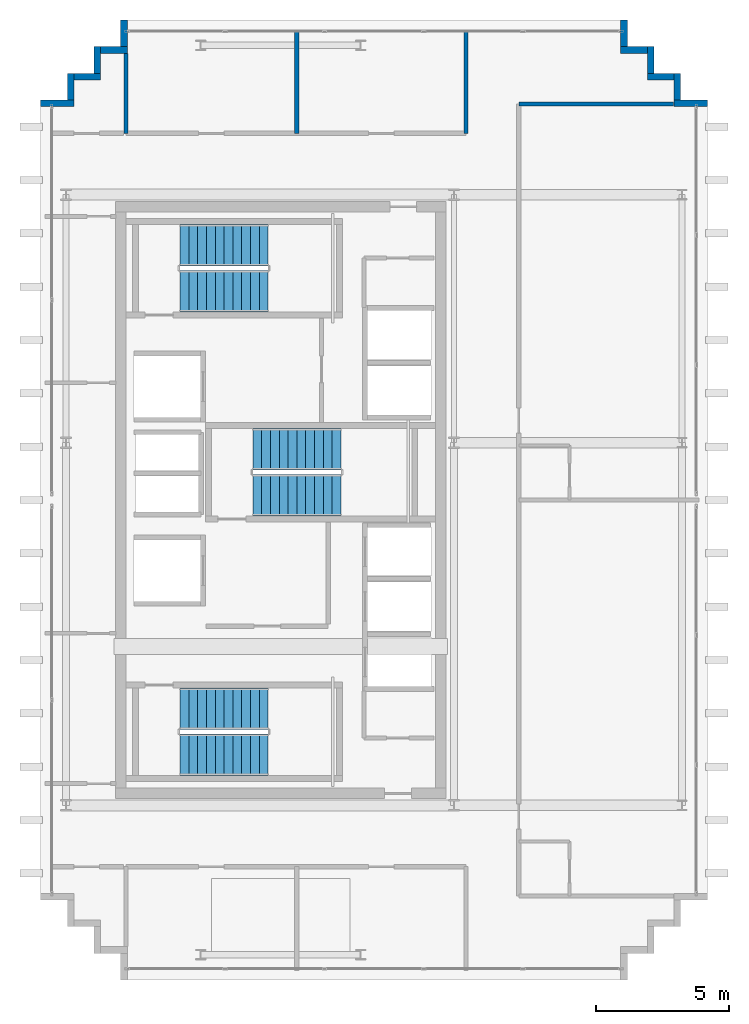
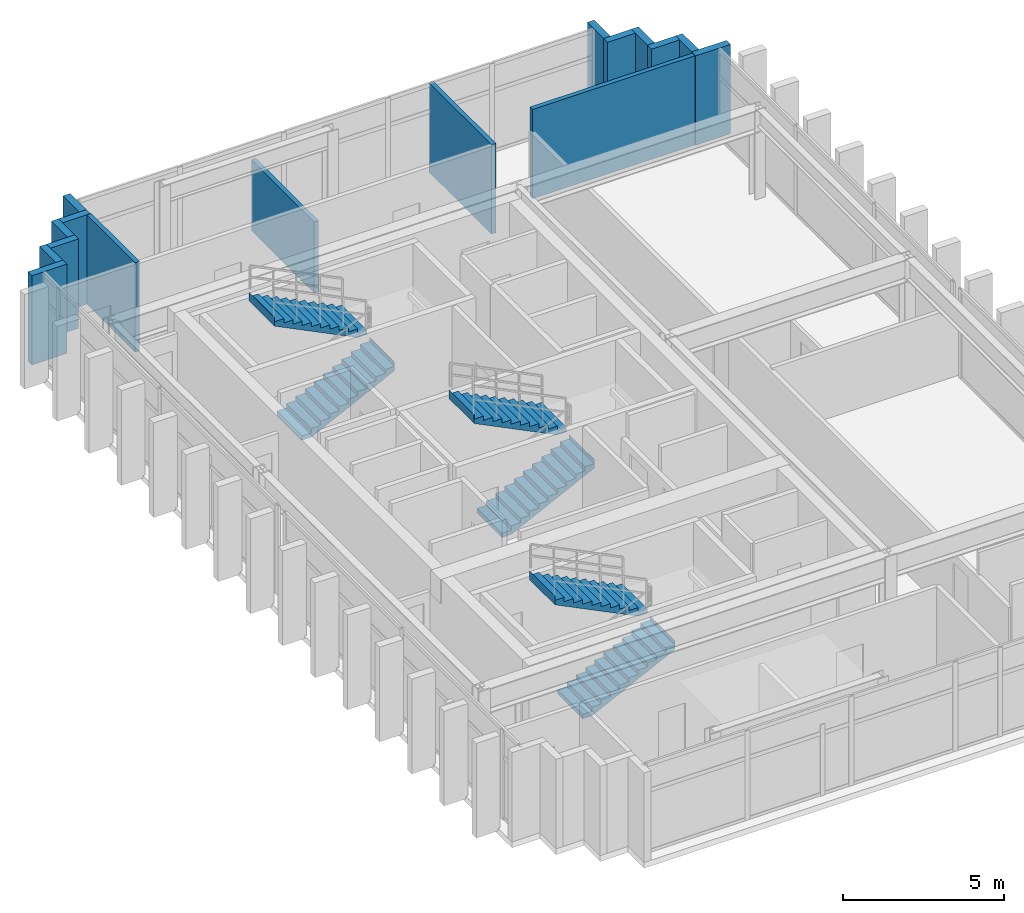
# One storey, part 14 of 15: 16 walls, 6 stair flights, 3 elements without a shape of their own.
"""IFC4 building model written with IfcOpenShell, lengths in metres."""

from ifc_helpers import new_model, si_unit, direction, frame, frame_2d, origin, place, context, subcontext, project, spatial, polyline, rectangle, outline, extrude, source, transform, mapped, material, layer, layer_set, type_object, element, aggregate, save


model = new_model("IFC4")

# Units and contexts
model_context = context("Model", 3, precision=1e-05, world=origin(), true_north=direction((0.0, 1.0)))
body_context = subcontext(model_context, "Body", "Model", "MODEL_VIEW")
ifc_project = project(units=[si_unit("LENGTHUNIT", "METRE"), si_unit("AREAUNIT", "SQUARE_METRE"), si_unit("VOLUMEUNIT", "CUBIC_METRE"), si_unit("PLANEANGLEUNIT", "RADIAN"), si_unit("MASSUNIT", "GRAM", prefix="KILO")], contexts=[model_context])

# Site, building, storey
site_placement = place(None, origin())
site = spatial("IfcSite", under=ifc_project, at=site_placement, CompositionType="ELEMENT")
building_placement = place(site_placement, origin())
building = spatial("IfcBuilding", under=site, at=building_placement, Name="Ocotamira Hotel", CompositionType="ELEMENT")
storey_placement = place(building_placement, frame((0.0, 0.0, 294.0)))
storey = spatial("IfcBuildingStorey", under=building, at=storey_placement, Name="L75", CompositionType="ELEMENT", Elevation=294.0)

# Walls
ifc_material_1 = material(Name="Precast concrete C45/55", Category="concrete")
ifc_layer_1 = layer(ifc_material_1, 0.25)
ifc_layer_set_1 = layer_set([ifc_layer_1], Name="Precast concrete C45/55")
wall_type_1 = type_object("IfcWallType", Name="WL-EXT-SER-250", PredefinedType="SOLIDWALL", material=ifc_layer_set_1)
wall_1_placement = place(storey_placement, frame((33.0, 40.875, 0.0), z_axis=(0.0, 0.0, 1.0), x_axis=(-1.0, 0.0, 0.0)))
element("IfcWall", 1, at=wall_1_placement, inside=storey, type_object=wall_type_1, Name="L75 Serrated Corner Wall 07", PredefinedType="SOLIDWALL", context=body_context, shape_type="SweptSolid", body=[
    extrude(rectangle(XDim=1.25, YDim=0.25, at=frame_2d((0.625, 0.0))), origin(), (0.0, 0.0, 1.0), 3.3798828125),
])
for number, where, z_axis, x_axis, name in (
    (2, (31.875, 41.0, 0.0), (0.0, 0.0, 1.0), (0.0, 1.0, 0.0), "L75 Serrated Corner Wall 08"),
    (3, (31.75, 41.875, 0.0), (0.0, 0.0, 1.0), (-1.0, 0.0, 0.0), "L75 Serrated Corner Wall 09"),
    (4, (30.875, 42.0, 0.0), (0.0, 0.0, 1.0), (0.0, 1.0, 0.0), "L75 Serrated Corner Wall 10"),
    (5, (30.75, 42.875, 0.0), (0.0, 0.0, 1.0), (-1.0, 0.0, 0.0), "L75 Serrated Corner Wall 11"),
    (6, (29.875, 43.0, 0.0), (0.0, 0.0, 1.0), (0.0, 1.0, 0.0), "L75 Serrated Corner Wall 12"),
    (7, (11.125, 44.0, 0.0), (0.0, 0.0, 1.0), (0.0, -1.0, 0.0), "L75 Serrated Corner Wall 13"),
    (8, (11.25, 42.875, 0.0), (0.0, 0.0, 1.0), (-1.0, 0.0, 0.0), "L75 Serrated Corner Wall 14"),
    (9, (10.125, 43.0, 0.0), (0.0, 0.0, 1.0), (0.0, -1.0, 0.0), "L75 Serrated Corner Wall 15"),
    (10, (10.25, 41.875, 0.0), (0.0, 0.0, 1.0), (-1.0, 0.0, 0.0), "L75 Serrated Corner Wall 16"),
    (11, (9.125, 42.0, 0.0), (0.0, 0.0, 1.0), (0.0, -1.0, 0.0), "L75 Serrated Corner Wall 17"),
):
    element("IfcWall", number, at=place(storey_placement, frame(where, z_axis=z_axis, x_axis=x_axis)), inside=storey, type_object=wall_type_1, Name=name, PredefinedType="SOLIDWALL", context=body_context, shape_type="SweptSolid", body=[
        extrude(rectangle(XDim=1.0, YDim=0.25, at=frame_2d((0.5, 0.0))), origin(), (0.0, 0.0, 1.0), 3.3798828125),
    ])
wall_2_placement = place(storey_placement, frame((9.25, 40.875, 0.0), z_axis=(0.0, 0.0, 1.0), x_axis=(-1.0, 0.0, 0.0)))
element("IfcWall", 12, at=wall_2_placement, inside=storey, type_object=wall_type_1, Name="L75 Serrated Corner Wall 18", PredefinedType="SOLIDWALL", context=body_context, shape_type="SweptSolid", body=[
    extrude(rectangle(XDim=1.25, YDim=0.25, at=frame_2d((0.625, 0.0))), origin(), (0.0, 0.0, 1.0), 3.3798828125),
])
ifc_material_2 = material(Name="Acoustic double-stud hospitality gypsum partition", Category="gypsum")
ifc_layer_2 = layer(ifc_material_2, 0.159912109375)
ifc_layer_set_2 = layer_set([ifc_layer_2], Name="Acoustic double-stud hospitality gypsum partition")
wall_type_2 = type_object("IfcWallType", Name="WL-PART-160", PredefinedType="PARTITIONING", material=ifc_layer_set_2)
wall_3_placement = place(storey_placement, frame((11.199951171875, 39.75, 0.0), z_axis=(0.0, 0.0, 1.0), x_axis=(0.0, 1.0, 0.0)))
element("IfcWall", 13, at=wall_3_placement, inside=storey, type_object=wall_type_2, Name="L75 Interior Wall PW-L75-WP2N-PW0", PredefinedType="PARTITIONING", context=body_context, shape_type="SweptSolid", body=[
    extrude(rectangle(XDim=2.989990234375, YDim=0.159912109375, at=frame_2d((1.4951171875, 0.0))), origin(), (0.0, 0.0, 1.0), 3.3798828125),
])
wall_4_placement = place(storey_placement, frame((23.949951171875, 39.75, 0.0), z_axis=(0.0, 0.0, 1.0), x_axis=(0.0, 1.0, 0.0)))
element("IfcWall", 14, at=wall_4_placement, inside=storey, type_object=wall_type_2, Name="L75 Interior Wall PW-L75-WP2N-PWEND", PredefinedType="PARTITIONING", context=body_context, shape_type="SweptSolid", body=[
    extrude(rectangle(XDim=3.889892578125, YDim=0.159912109375, at=frame_2d((1.94482421875, 0.0))), origin(), (0.0, 0.0, 1.0), 3.3798828125),
])
wall_5_placement = place(storey_placement, frame((17.60009765625, 39.75, 0.0), z_axis=(0.0, 0.0, 1.0), x_axis=(0.0, 1.0, 0.0)))
element("IfcWall", 15, at=wall_5_placement, inside=storey, type_object=wall_type_2, Name="L75 Interior Wall PW-L75-WP2N-PW1", PredefinedType="PARTITIONING", context=body_context, shape_type="SweptSolid", body=[
    extrude(rectangle(XDim=3.889892578125, YDim=0.159912109375, at=frame_2d((1.94482421875, 0.0))), origin(), (0.0, 0.0, 1.0), 2.68701171875),
])
wall_6_placement = place(storey_placement, frame((25.929931640625, 40.85009765625, 0.0), z_axis=(0.0, 0.0, 1.0), x_axis=(1.0, 0.0, 0.0)))
element("IfcWall", 16, at=wall_6_placement, inside=storey, type_object=wall_type_2, Name="L75 Interior Wall PW-L75-WP-EDIVN", PredefinedType="PARTITIONING", context=body_context, shape_type="SweptSolid", body=[
    extrude(rectangle(XDim=5.81005859375, YDim=0.159912109375, at=frame_2d((2.905029296875, 0.0))), origin(), (0.0, 0.0, 1.0), 3.3798828125),
])

# Stair, stair flights
ifc_material_3 = material(Name="Concrete C40/50", Category="concrete")
stair_type = type_object("IfcStairType", Name="ST-CORE-1560", PredefinedType="HALF_TURN_STAIR", material=ifc_material_3)
stair_1_placement = place(storey_placement, origin())
stair_1 = element("IfcStair", 17, at=stair_1_placement, inside=storey, type_object=stair_type, Name="L75 Exit Stair ST-1", PredefinedType="HALF_TURN_STAIR")
stair_flight_type = type_object("IfcStairFlightType", Name="STF-CORE-1560", PredefinedType="STRAIGHT", material=ifc_material_3)
shared_shape = source(origin(), body_context, "Body", "SweptSolid", [
    extrude(outline(polyline([(-0.00390625, 0.0), (-0.00390625, 0.16357421875), (0.330078125, 0.16357421875), (0.330078125, 0.327392578125), (0.659912109375, 0.327392578125), (0.659912109375, 0.490966796875), (0.989990234375, 0.490966796875), (0.989990234375, 0.654541015625), (1.320068359375, 0.654541015625), (1.320068359375, 0.818115234375), (1.64990234375, 0.818115234375), (1.64990234375, 0.98193359375), (1.97998046875, 0.98193359375), (1.97998046875, 1.1455078125), (2.31005859375, 1.1455078125), (2.31005859375, 1.30908203125), (2.639892578125, 1.30908203125), (2.639892578125, 1.47265625), (2.969970703125, 1.47265625), (2.969970703125, 1.636474609375), (3.300048828125, 1.636474609375), (3.300048828125, 1.800048828125), (3.303955078125, 1.800048828125), (3.303955078125, 1.468994140625), (0.33740234375, 0.0), (-0.00390625, 0.0)])), frame((0.0, 0.780029296875, 0.0), z_axis=(0.0, -1.0, 0.0), x_axis=(1.0, 0.0, 0.0)), (0.0, 0.0, 1.0), 1.56005859375),
])
stair_flight_1_placement = place(storey_placement, frame((13.22998046875, 16.449951171875, 0.0), z_axis=(0.0, 0.0, 1.0), x_axis=(1.0, 0.0, 0.0)))
stair_flight_1 = element("IfcStairFlight", 18, at=stair_flight_1_placement, type_object=stair_flight_type, Name="ST-1 flight 1", NumberOfRisers=11, NumberOfTreads=10, PredefinedType="STRAIGHT", RiserHeight=0.163636364, TreadLength=0.33, context=body_context, shape_type="MappedRepresentation", body=[
    mapped(shared_shape, transform((0.0, 0.0, 0.0), scale=1.0)),
])
stair_flight_2_placement = place(storey_placement, frame((16.530029296875, 18.169921875, 1.800048828125), z_axis=(0.0, 0.0, 1.0), x_axis=(-1.0, 0.0, 0.0)))
stair_flight_2 = element("IfcStairFlight", 19, at=stair_flight_2_placement, type_object=stair_flight_type, Name="ST-1 flight 2", NumberOfRisers=11, NumberOfTreads=10, PredefinedType="STRAIGHT", RiserHeight=0.163636364, TreadLength=0.33, context=body_context, shape_type="MappedRepresentation", body=[
    mapped(shared_shape, transform((0.0, 0.0, 0.0), scale=1.0)),
])
aggregate(stair_1, [stair_flight_1, stair_flight_2])

stair_2_placement = place(storey_placement, origin())
stair_2 = element("IfcStair", 20, at=stair_2_placement, inside=storey, type_object=stair_type, Name="L75 Exit Stair ST-2", PredefinedType="HALF_TURN_STAIR")
stair_flight_3_placement = place(storey_placement, frame((13.22998046875, 33.830078125, 0.0), z_axis=(0.0, 0.0, 1.0), x_axis=(1.0, 0.0, 0.0)))
stair_flight_3 = element("IfcStairFlight", 21, at=stair_flight_3_placement, type_object=stair_flight_type, Name="ST-2 flight 1", NumberOfRisers=11, NumberOfTreads=10, PredefinedType="STRAIGHT", RiserHeight=0.163636364, TreadLength=0.33, context=body_context, shape_type="MappedRepresentation", body=[
    mapped(shared_shape, transform((0.0, 0.0, 0.0), scale=1.0)),
])
stair_flight_4_placement = place(storey_placement, frame((16.530029296875, 35.550048828125, 1.800048828125), z_axis=(0.0, 0.0, 1.0), x_axis=(-1.0, 0.0, 0.0)))
stair_flight_4 = element("IfcStairFlight", 22, at=stair_flight_4_placement, type_object=stair_flight_type, Name="ST-2 flight 2", NumberOfRisers=11, NumberOfTreads=10, PredefinedType="STRAIGHT", RiserHeight=0.163636364, TreadLength=0.33, context=body_context, shape_type="MappedRepresentation", body=[
    mapped(shared_shape, transform((0.0, 0.0, 0.0), scale=1.0)),
])
aggregate(stair_2, [stair_flight_3, stair_flight_4])

stair_3_placement = place(storey_placement, origin())
stair_3 = element("IfcStair", 23, at=stair_3_placement, inside=storey, type_object=stair_type, Name="L75 Exit Stair ST-3", PredefinedType="HALF_TURN_STAIR")
stair_flight_5_placement = place(storey_placement, frame((15.9599609375, 26.179931640625, 0.0), z_axis=(0.0, 0.0, 1.0), x_axis=(1.0, 0.0, 0.0)))
stair_flight_5 = element("IfcStairFlight", 24, at=stair_flight_5_placement, type_object=stair_flight_type, Name="ST-3 flight 1", NumberOfRisers=11, NumberOfTreads=10, PredefinedType="STRAIGHT", RiserHeight=0.163636364, TreadLength=0.33, context=body_context, shape_type="MappedRepresentation", body=[
    mapped(shared_shape, transform((0.0, 0.0, 0.0), scale=1.0)),
])
stair_flight_6_placement = place(storey_placement, frame((19.260009765625, 27.89990234375, 1.800048828125), z_axis=(0.0, 0.0, 1.0), x_axis=(-1.0, 0.0, 0.0)))
stair_flight_6 = element("IfcStairFlight", 25, at=stair_flight_6_placement, type_object=stair_flight_type, Name="ST-3 flight 2", NumberOfRisers=11, NumberOfTreads=10, PredefinedType="STRAIGHT", RiserHeight=0.163636364, TreadLength=0.33, context=body_context, shape_type="MappedRepresentation", body=[
    mapped(shared_shape, transform((0.0, 0.0, 0.0), scale=1.0)),
])
aggregate(stair_3, [stair_flight_5, stair_flight_6])

save(model, "model.ifc")
